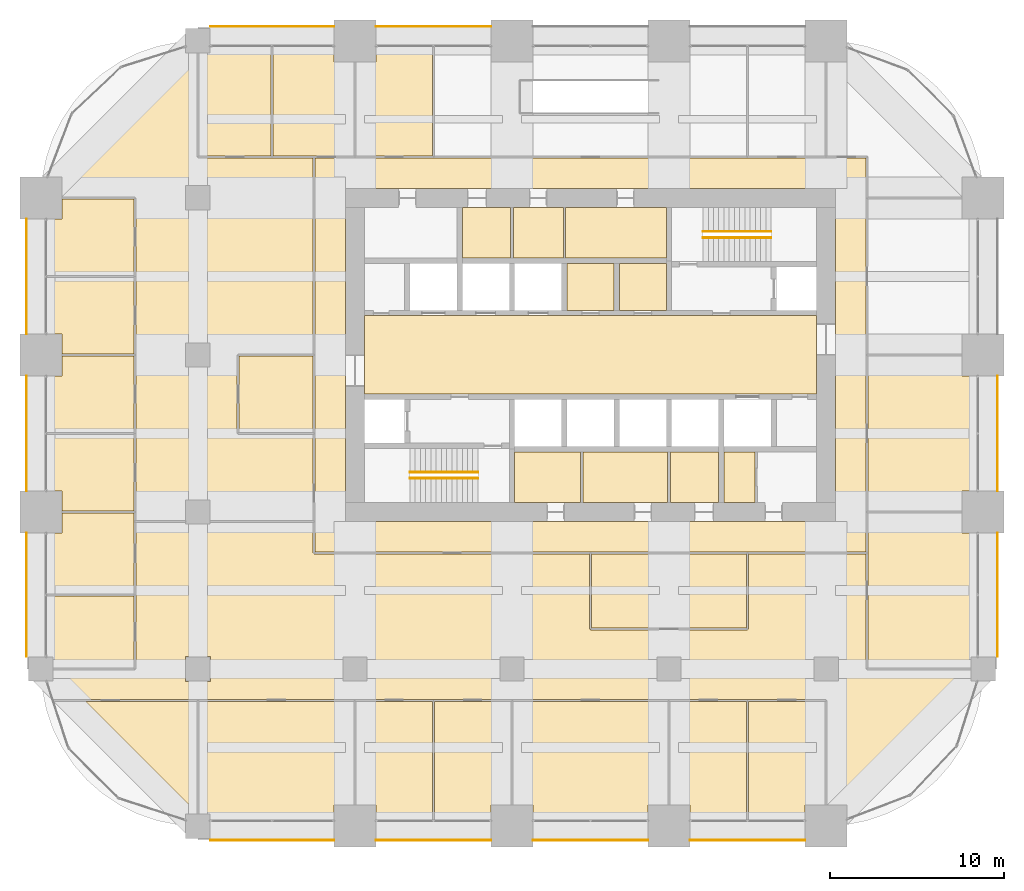
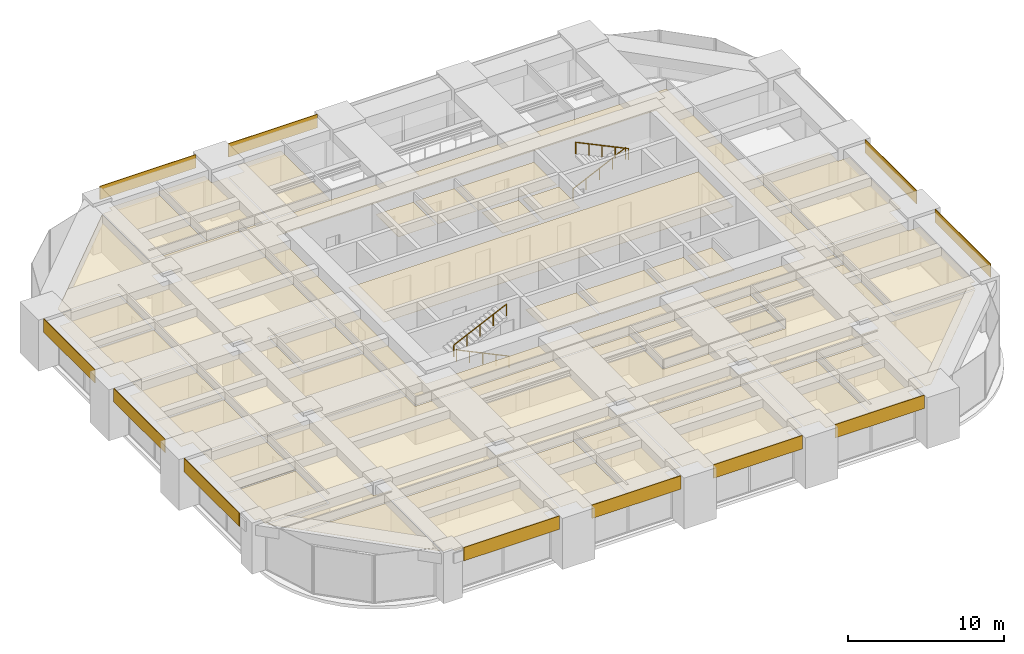
# One storey, part 34 of 35: 44 coverings, 4 railings.
"""IFC4 building model written with IfcOpenShell, lengths in metres."""

from ifc_helpers import new_model, si_unit, direction, frame, frame_2d, origin, origin_2d, place, context, subcontext, project, spatial, polyline, rectangle, circle, outline, extrude, material, layer, layer_set, type_object, element, save


model = new_model("IFC4")

# Units and contexts
model_context = context("Model", 3, precision=1e-05, world=origin(), true_north=direction((0.0, 1.0)))
body_context = subcontext(model_context, "Body", "Model", "MODEL_VIEW")
ifc_project = project(units=[si_unit("LENGTHUNIT", "METRE"), si_unit("AREAUNIT", "SQUARE_METRE"), si_unit("VOLUMEUNIT", "CUBIC_METRE"), si_unit("PLANEANGLEUNIT", "RADIAN"), si_unit("MASSUNIT", "GRAM", prefix="KILO")], contexts=[model_context])

# Site, building, storey
site_placement = place(None, origin())
site = spatial("IfcSite", under=ifc_project, at=site_placement, CompositionType="ELEMENT")
building_placement = place(site_placement, origin())
building = spatial("IfcBuilding", under=site, at=building_placement, Name="Zorevar Civic Tower", CompositionType="ELEMENT")
storey_placement = place(building_placement, frame((0.0, 0.0, 218.199951171875)))
storey = spatial("IfcBuildingStorey", under=building, at=storey_placement, Name="L53", CompositionType="ELEMENT", Elevation=218.199951171875)

# Railings
ifc_material_1 = material(Name="Black steel handrail", Category="steel")
railing_type = type_object("IfcRailingType", Name="Handrail HR1 900", PredefinedType="HANDRAIL", material=ifc_material_1)
railing_1_placement = place(storey_placement, frame((25.050048828125, 19.925048828125, 0.142822265625)))
element("IfcRailing", 1, at=railing_1_placement, inside=storey, type_object=railing_type, Name="Handrail HR1 ST1 L53", PredefinedType="HANDRAIL", context=body_context, shape_type="SweptSolid", body=[
    extrude(circle(Radius=0.02392578125, at=origin_2d()), frame((0.0, 0.0, 0.8759765625), z_axis=(-0.902863652845, 0.0, 0.429926998885), x_axis=(0.0, -1.0, 0.0)), (0.0, 0.0, 1.0), 4.31982421875),
    extrude(circle(Radius=0.02099609375, at=origin_2d()), origin(), (0.0, 0.0, 1.0), 0.851806640625),
    extrude(circle(Radius=0.02099609375, at=origin_2d()), frame((-0.97509765625, 0.0, 0.46435546875)), (0.0, 0.0, 1.0), 0.851806640625),
    extrude(circle(Radius=0.02099609375, at=origin_2d()), frame((-1.9501953125, 0.0, 0.9287109375)), (0.0, 0.0, 1.0), 0.851806640625),
    extrude(circle(Radius=0.02099609375, at=origin_2d()), frame((-2.925048828125, 0.0, 1.392822265625)), (0.0, 0.0, 1.0), 0.851806640625),
    extrude(circle(Radius=0.02099609375, at=origin_2d()), frame((-3.900146484375, 0.0, 1.857177734375)), (0.0, 0.0, 1.0), 0.851806640625),
])
for number, where, name in (
    (2, (21.14990234375, 20.27490234375, 2.142822265625), "Handrail HR1 ST1 L53"),
    (3, (37.949951171875, 34.074951171875, 0.142822265625), "Handrail HR1 ST2 L53"),
):
    element("IfcRailing", number, at=place(storey_placement, frame(where)), inside=storey, type_object=railing_type, Name=name, PredefinedType="HANDRAIL", context=body_context, shape_type="SweptSolid", body=[
        extrude(circle(Radius=0.02392578125, at=origin_2d()), frame((0.0, 0.0, 0.8759765625), z_axis=(0.902863652845, 0.0, 0.429926998885), x_axis=(0.0, 1.0, 0.0)), (0.0, 0.0, 1.0), 4.31982421875),
        extrude(circle(Radius=0.02099609375, at=origin_2d()), origin(), (0.0, 0.0, 1.0), 0.851806640625),
        extrude(circle(Radius=0.02099609375, at=origin_2d()), frame((0.97509765625, 0.0, 0.46435546875)), (0.0, 0.0, 1.0), 0.851806640625),
        extrude(circle(Radius=0.02099609375, at=origin_2d()), frame((1.9501953125, 0.0, 0.9287109375)), (0.0, 0.0, 1.0), 0.851806640625),
        extrude(circle(Radius=0.02099609375, at=origin_2d()), frame((2.925048828125, 0.0, 1.392822265625)), (0.0, 0.0, 1.0), 0.851806640625),
        extrude(circle(Radius=0.02099609375, at=origin_2d()), frame((3.900146484375, 0.0, 1.857177734375)), (0.0, 0.0, 1.0), 0.851806640625),
    ])
railing_2_placement = place(storey_placement, frame((41.85009765625, 33.72509765625, 2.142822265625)))
element("IfcRailing", 4, at=railing_2_placement, inside=storey, type_object=railing_type, Name="Handrail HR1 ST2 L53", PredefinedType="HANDRAIL", context=body_context, shape_type="SweptSolid", body=[
    extrude(circle(Radius=0.02392578125, at=origin_2d()), frame((0.0, 0.0, 0.8759765625), z_axis=(-0.902863652845, 0.0, 0.429926998885), x_axis=(0.0, -1.0, 0.0)), (0.0, 0.0, 1.0), 4.31982421875),
    extrude(circle(Radius=0.02099609375, at=origin_2d()), origin(), (0.0, 0.0, 1.0), 0.851806640625),
    extrude(circle(Radius=0.02099609375, at=origin_2d()), frame((-0.97509765625, 0.0, 0.46435546875)), (0.0, 0.0, 1.0), 0.851806640625),
    extrude(circle(Radius=0.02099609375, at=origin_2d()), frame((-1.9501953125, 0.0, 0.9287109375)), (0.0, 0.0, 1.0), 0.851806640625),
    extrude(circle(Radius=0.02099609375, at=origin_2d()), frame((-2.925048828125, 0.0, 1.392822265625)), (0.0, 0.0, 1.0), 0.851806640625),
    extrude(circle(Radius=0.02099609375, at=origin_2d()), frame((-3.900146484375, 0.0, 1.857177734375)), (0.0, 0.0, 1.0), 0.851806640625),
])

# Coverings
ifc_material_2 = material(Name="Moisture-resistant gypsum board")
ifc_layer_1 = layer(ifc_material_2, 0.012451171875)
ifc_layer_set_1 = layer_set([ifc_layer_1], Name="Moisture-resistant ceiling SC3")
covering_type_1 = type_object("IfcCoveringType", Name="Moisture-resistant ceiling SC3", PredefinedType="CEILING", material=ifc_layer_set_1)
covering_1_placement = place(storey_placement, frame((0.0, 0.0, 3.0)))
element("IfcCovering", 5, at=covering_1_placement, inside=storey, type_object=covering_type_1, Name="Ceiling L53-05", PredefinedType="CEILING", context=body_context, shape_type="SweptSolid", body=[
    extrude(outline(polyline([(30.925048828125, 18.550048828125), (30.925048828125, 21.449951171875), (27.14990234375, 21.449951171875), (27.14990234375, 18.550048828125), (30.925048828125, 18.550048828125)])), origin(), (0.0, 0.0, 1.0), 0.012451171875),
])
covering_2_placement = place(storey_placement, frame((0.0, 0.0, 3.0)))
element("IfcCovering", 6, at=covering_2_placement, inside=storey, type_object=covering_type_1, Name="Ceiling L53-06", PredefinedType="CEILING", context=body_context, shape_type="SweptSolid", body=[
    extrude(outline(polyline([(35.925048828125, 18.550048828125), (35.925048828125, 21.449951171875), (31.074951171875, 21.449951171875), (31.074951171875, 18.550048828125), (35.925048828125, 18.550048828125)])), origin(), (0.0, 0.0, 1.0), 0.012451171875),
])
covering_3_placement = place(storey_placement, frame((0.0, 0.0, 3.0)))
element("IfcCovering", 7, at=covering_3_placement, inside=storey, type_object=covering_type_1, Name="Ceiling L53-07", PredefinedType="CEILING", context=body_context, shape_type="SweptSolid", body=[
    extrude(outline(polyline([(38.85009765625, 18.550048828125), (38.85009765625, 21.449951171875), (36.074951171875, 21.449951171875), (36.074951171875, 18.550048828125), (38.85009765625, 18.550048828125)])), origin(), (0.0, 0.0, 1.0), 0.012451171875),
])
covering_4_placement = place(storey_placement, frame((0.0, 0.0, 3.0)))
element("IfcCovering", 8, at=covering_4_placement, inside=storey, type_object=covering_type_1, Name="Ceiling L53-10", PredefinedType="CEILING", context=body_context, shape_type="SweptSolid", body=[
    extrude(outline(polyline([(26.925048828125, 32.550048828125), (26.925048828125, 35.449951171875), (24.14990234375, 35.449951171875), (24.14990234375, 32.550048828125), (26.925048828125, 32.550048828125)])), origin(), (0.0, 0.0, 1.0), 0.012451171875),
])
ifc_material_3 = material(Name="Black anodised aluminium spandrel panel", Category="aluminium")
ifc_layer_2 = layer(ifc_material_3, 0.050048828125)
ifc_layer_set_2 = layer_set([ifc_layer_2], Name="Spandrel cladding SP1")
covering_type_2 = type_object("IfcCoveringType", Name="Spandrel cladding SP1", PredefinedType="CLADDING", material=ifc_layer_set_2)
covering_5_placement = place(storey_placement, frame((9.699951171875, -0.824951171875, 2.949951171875), z_axis=(0.0, 0.0, 1.0), x_axis=(1.0, 0.0, 0.0)))
element("IfcCovering", 9, at=covering_5_placement, inside=storey, type_object=covering_type_2, Name="Spandrel cladding L54", PredefinedType="CLADDING", context=body_context, shape_type="SweptSolid", body=[
    extrude(rectangle(XDim=7.10009765625, YDim=0.050048828125, at=frame_2d((3.550048828125, 0.0))), origin(), (0.0, 0.0, 1.0), 1.050048828125),
])
for number, where, z_axis, x_axis, name in (
    (10, (19.199951171875, -0.824951171875, 2.949951171875), (0.0, 0.0, 1.0), (1.0, 0.0, 0.0), "Spandrel cladding L54"),
    (11, (28.199951171875, -0.824951171875, 2.949951171875), (0.0, 0.0, 1.0), (1.0, 0.0, 0.0), "Spandrel cladding L54"),
    (12, (37.199951171875, -0.824951171875, 2.949951171875), (0.0, 0.0, 1.0), (1.0, 0.0, 0.0), "Spandrel cladding L54"),
):
    element("IfcCovering", number, at=place(storey_placement, frame(where, z_axis=z_axis, x_axis=x_axis)), inside=storey, type_object=covering_type_2, Name=name, PredefinedType="CLADDING", context=body_context, shape_type="SweptSolid", body=[
        extrude(rectangle(XDim=6.60009765625, YDim=0.050048828125, at=frame_2d((3.300048828125, 0.0))), origin(), (0.0, 0.0, 1.0), 1.050048828125),
    ])
covering_6_placement = place(storey_placement, frame((9.699951171875, 45.824951171875, 2.949951171875), z_axis=(0.0, 0.0, 1.0), x_axis=(1.0, 0.0, 0.0)))
element("IfcCovering", 13, at=covering_6_placement, inside=storey, type_object=covering_type_2, Name="Spandrel cladding L54", PredefinedType="CLADDING", context=body_context, shape_type="SweptSolid", body=[
    extrude(rectangle(XDim=7.10009765625, YDim=0.050048828125, at=frame_2d((3.550048828125, 0.0))), origin(), (0.0, 0.0, 1.0), 1.050048828125),
])
covering_7_placement = place(storey_placement, frame((19.199951171875, 45.824951171875, 2.949951171875), z_axis=(0.0, 0.0, 1.0), x_axis=(1.0, 0.0, 0.0)))
element("IfcCovering", 14, at=covering_7_placement, inside=storey, type_object=covering_type_2, Name="Spandrel cladding L54", PredefinedType="CLADDING", context=body_context, shape_type="SweptSolid", body=[
    extrude(rectangle(XDim=6.60009765625, YDim=0.050048828125, at=frame_2d((3.300048828125, 0.0))), origin(), (0.0, 0.0, 1.0), 1.050048828125),
])
covering_8_placement = place(storey_placement, frame((-0.824951171875, 9.699951171875, 2.949951171875), z_axis=(0.0, 0.0, 1.0), x_axis=(0.0, 1.0, 0.0)))
element("IfcCovering", 15, at=covering_8_placement, inside=storey, type_object=covering_type_2, Name="Spandrel cladding L54", PredefinedType="CLADDING", context=body_context, shape_type="SweptSolid", body=[
    extrude(rectangle(XDim=7.10009765625, YDim=0.050048828125, at=frame_2d((3.550048828125, 0.0))), origin(), (0.0, 0.0, 1.0), 1.050048828125),
])
for number, where, z_axis, x_axis, name in (
    (16, (-0.824951171875, 19.199951171875, 2.949951171875), (0.0, 0.0, 1.0), (0.0, 1.0, 0.0), "Spandrel cladding L54"),
    (17, (-0.824951171875, 28.199951171875, 2.949951171875), (0.0, 0.0, 1.0), (0.0, 1.0, 0.0), "Spandrel cladding L54"),
):
    element("IfcCovering", number, at=place(storey_placement, frame(where, z_axis=z_axis, x_axis=x_axis)), inside=storey, type_object=covering_type_2, Name=name, PredefinedType="CLADDING", context=body_context, shape_type="SweptSolid", body=[
        extrude(rectangle(XDim=6.60009765625, YDim=0.050048828125, at=frame_2d((3.300048828125, 0.0))), origin(), (0.0, 0.0, 1.0), 1.050048828125),
    ])
covering_9_placement = place(storey_placement, frame((54.824951171875, 9.699951171875, 2.949951171875), z_axis=(0.0, 0.0, 1.0), x_axis=(0.0, 1.0, 0.0)))
element("IfcCovering", 18, at=covering_9_placement, inside=storey, type_object=covering_type_2, Name="Spandrel cladding L54", PredefinedType="CLADDING", context=body_context, shape_type="SweptSolid", body=[
    extrude(rectangle(XDim=7.10009765625, YDim=0.050048828125, at=frame_2d((3.550048828125, 0.0))), origin(), (0.0, 0.0, 1.0), 1.050048828125),
])
covering_10_placement = place(storey_placement, frame((54.824951171875, 19.199951171875, 2.949951171875), z_axis=(0.0, 0.0, 1.0), x_axis=(0.0, 1.0, 0.0)))
element("IfcCovering", 19, at=covering_10_placement, inside=storey, type_object=covering_type_2, Name="Spandrel cladding L54", PredefinedType="CLADDING", context=body_context, shape_type="SweptSolid", body=[
    extrude(rectangle(XDim=6.60009765625, YDim=0.050048828125, at=frame_2d((3.300048828125, 0.0))), origin(), (0.0, 0.0, 1.0), 1.050048828125),
])
ifc_material_4 = material(Name="Mineral fibre tiles on a concealed grid")
ifc_layer_3 = layer(ifc_material_4, 0.02001953125)
ifc_layer_set_3 = layer_set([ifc_layer_3], Name="Suspended ceiling SC1")
covering_type_3 = type_object("IfcCoveringType", Name="Suspended ceiling SC1", PredefinedType="CEILING", material=ifc_layer_set_3)
covering_11_placement = place(storey_placement, frame((0.0, 0.0, 3.0)))
element("IfcCovering", 20, at=covering_11_placement, inside=storey, type_object=covering_type_3, Name="Ceiling L53-08", PredefinedType="CEILING", context=body_context, shape_type="SweptSolid", body=[
    extrude(outline(polyline([(35.85009765625, 32.550048828125), (35.85009765625, 35.449951171875), (30.06005859375, 35.449951171875), (30.06005859375, 32.550048828125), (35.85009765625, 32.550048828125)])), origin(), (0.0, 0.0, 1.0), 0.02001953125),
])
covering_12_placement = place(storey_placement, frame((0.0, 0.0, 3.0)))
element("IfcCovering", 21, at=covering_12_placement, inside=storey, type_object=covering_type_3, Name="Ceiling L53-09", PredefinedType="CEILING", context=body_context, shape_type="SweptSolid", body=[
    extrude(outline(polyline([(29.93994140625, 32.550048828125), (29.93994140625, 35.449951171875), (27.074951171875, 35.449951171875), (27.074951171875, 32.550048828125), (29.93994140625, 32.550048828125)])), origin(), (0.0, 0.0, 1.0), 0.02001953125),
])
covering_13_placement = place(storey_placement, frame((0.0, 0.0, 3.0)))
element("IfcCovering", 22, at=covering_13_placement, inside=storey, type_object=covering_type_3, Name="Ceiling L53-11", PredefinedType="CEILING", context=body_context, shape_type="SweptSolid", body=[
    extrude(outline(polyline([(40.93994140625, 18.550048828125), (40.93994140625, 21.449951171875), (39.14990234375, 21.449951171875), (39.14990234375, 18.550048828125), (40.93994140625, 18.550048828125)])), origin(), (0.0, 0.0, 1.0), 0.02001953125),
])
covering_14_placement = place(storey_placement, frame((0.0, 0.0, 3.0)))
element("IfcCovering", 23, at=covering_14_placement, inside=storey, type_object=covering_type_3, Name="Ceiling L53-16", PredefinedType="CEILING", context=body_context, shape_type="SweptSolid", body=[
    extrude(outline(polyline([(44.449951171875, 24.75), (44.449951171875, 29.25), (18.550048828125, 29.25), (18.550048828125, 24.75), (44.449951171875, 24.75)])), origin(), (0.0, 0.0, 1.0), 0.02001953125),
])
covering_15_placement = place(storey_placement, frame((0.0, 0.0, 3.0)))
element("IfcCovering", 24, at=covering_15_placement, inside=storey, type_object=covering_type_3, Name="Ceiling L53-17", PredefinedType="CEILING", context=body_context, shape_type="SweptSolid", body=[
    extrude(outline(polyline([(35.85009765625, 29.550048828125), (35.85009765625, 32.25), (33.14990234375, 32.25), (33.14990234375, 29.550048828125), (35.85009765625, 29.550048828125)])), origin(), (0.0, 0.0, 1.0), 0.02001953125),
])
covering_16_placement = place(storey_placement, frame((0.0, 0.0, 3.0)))
element("IfcCovering", 25, at=covering_16_placement, inside=storey, type_object=covering_type_3, Name="Ceiling L53-18", PredefinedType="CEILING", context=body_context, shape_type="SweptSolid", body=[
    extrude(outline(polyline([(32.85009765625, 29.550048828125), (32.85009765625, 32.25), (30.14990234375, 32.25), (30.14990234375, 29.550048828125), (32.85009765625, 29.550048828125)])), origin(), (0.0, 0.0, 1.0), 0.02001953125),
])
covering_17_placement = place(storey_placement, frame((0.0, 0.0, 3.0)))
element("IfcCovering", 26, at=covering_17_placement, inside=storey, type_object=covering_type_3, Name="Ceiling L53-19", PredefinedType="CEILING", context=body_context, shape_type="SweptSolid", body=[
    extrude(outline(polyline([(9.7099609375, 0.35009765625), (9.7099609375, 0.7099609375), (9.06005859375, 0.7099609375), (9.06005859375, 7.139892578125), (17.93994140625, 7.139892578125), (17.93994140625, 1.2099609375), (16.7900390625, 1.2099609375), (16.7900390625, 0.35009765625), (9.7099609375, 0.35009765625)])), origin(), (0.0, 0.0, 1.0), 0.02001953125),
])
covering_18_placement = place(storey_placement, frame((0.0, 0.0, 3.0)))
element("IfcCovering", 27, at=covering_18_placement, inside=storey, type_object=covering_type_3, Name="Ceiling L53-20", PredefinedType="CEILING", context=body_context, shape_type="SweptSolid", body=[
    extrude(outline(polyline([(22.43994140625, 7.139892578125), (22.43994140625, 0.35009765625), (19.2099609375, 0.35009765625), (19.2099609375, 1.2099609375), (18.06005859375, 1.2099609375), (18.06005859375, 7.139892578125), (22.43994140625, 7.139892578125)])), origin(), (0.0, 0.0, 1.0), 0.02001953125),
])
covering_19_placement = place(storey_placement, frame((0.0, 0.0, 3.0)))
element("IfcCovering", 28, at=covering_19_placement, inside=storey, type_object=covering_type_3, Name="Ceiling L53-21", PredefinedType="CEILING", context=body_context, shape_type="SweptSolid", body=[
    extrude(outline(polyline([(26.93994140625, 7.139892578125), (26.93994140625, 1.2099609375), (25.7900390625, 1.2099609375), (25.7900390625, 0.35009765625), (22.56005859375, 0.35009765625), (22.56005859375, 7.139892578125), (26.93994140625, 7.139892578125)])), origin(), (0.0, 0.0, 1.0), 0.02001953125),
])
covering_20_placement = place(storey_placement, frame((0.0, 0.0, 3.0)))
element("IfcCovering", 29, at=covering_20_placement, inside=storey, type_object=covering_type_3, Name="Ceiling L53-22", PredefinedType="CEILING", context=body_context, shape_type="SweptSolid", body=[
    extrude(outline(polyline([(28.2099609375, 0.35009765625), (28.2099609375, 1.2099609375), (27.06005859375, 1.2099609375), (27.06005859375, 7.139892578125), (35.93994140625, 7.139892578125), (35.93994140625, 1.2099609375), (34.7900390625, 1.2099609375), (34.7900390625, 0.35009765625), (28.2099609375, 0.35009765625)])), origin(), (0.0, 0.0, 1.0), 0.02001953125),
])
covering_21_placement = place(storey_placement, frame((0.0, 0.0, 3.0)))
element("IfcCovering", 30, at=covering_21_placement, inside=storey, type_object=covering_type_3, Name="Ceiling L53-23", PredefinedType="CEILING", context=body_context, shape_type="SweptSolid", body=[
    extrude(outline(polyline([(40.43994140625, 7.139892578125), (40.43994140625, 0.35009765625), (37.2099609375, 0.35009765625), (37.2099609375, 1.2099609375), (36.06005859375, 1.2099609375), (36.06005859375, 7.139892578125), (40.43994140625, 7.139892578125)])), origin(), (0.0, 0.0, 1.0), 0.02001953125),
])
covering_22_placement = place(storey_placement, frame((0.0, 0.0, 3.0)))
element("IfcCovering", 31, at=covering_22_placement, inside=storey, type_object=covering_type_3, Name="Ceiling L53-24", PredefinedType="CEILING", context=body_context, shape_type="SweptSolid", body=[
    extrude(outline(polyline([(44.93994140625, 7.139892578125), (44.93994140625, 1.2099609375), (43.7900390625, 1.2099609375), (43.7900390625, 0.35009765625), (40.56005859375, 0.35009765625), (40.56005859375, 7.139892578125), (44.93994140625, 7.139892578125)])), origin(), (0.0, 0.0, 1.0), 0.02001953125),
])
covering_23_placement = place(storey_placement, frame((0.0, 0.0, 3.0)))
element("IfcCovering", 32, at=covering_23_placement, inside=storey, type_object=covering_type_3, Name="Ceiling L53-25", PredefinedType="CEILING", context=body_context, shape_type="SweptSolid", body=[
    extrude(outline(polyline([(9.06005859375, 38.409912109375), (9.06005859375, 44.2900390625), (9.7099609375, 44.2900390625), (9.7099609375, 44.64990234375), (13.18994140625, 44.64990234375), (13.18994140625, 38.409912109375), (9.06005859375, 38.409912109375)])), origin(), (0.0, 0.0, 1.0), 0.02001953125),
])
covering_24_placement = place(storey_placement, frame((0.0, 0.0, 3.0)))
element("IfcCovering", 33, at=covering_24_placement, inside=storey, type_object=covering_type_3, Name="Ceiling L53-26", PredefinedType="CEILING", context=body_context, shape_type="SweptSolid", body=[
    extrude(outline(polyline([(13.31005859375, 38.409912109375), (13.31005859375, 44.64990234375), (16.7900390625, 44.64990234375), (16.7900390625, 43.7900390625), (17.93994140625, 43.7900390625), (17.93994140625, 38.409912109375), (13.31005859375, 38.409912109375)])), origin(), (0.0, 0.0, 1.0), 0.02001953125),
])
covering_25_placement = place(storey_placement, frame((0.0, 0.0, 3.0)))
element("IfcCovering", 34, at=covering_25_placement, inside=storey, type_object=covering_type_3, Name="Ceiling L53-27", PredefinedType="CEILING", context=body_context, shape_type="SweptSolid", body=[
    extrude(outline(polyline([(18.06005859375, 38.409912109375), (18.06005859375, 43.7900390625), (19.2099609375, 43.7900390625), (19.2099609375, 44.64990234375), (22.43994140625, 44.64990234375), (22.43994140625, 38.409912109375), (18.06005859375, 38.409912109375)])), origin(), (0.0, 0.0, 1.0), 0.02001953125),
])
covering_26_placement = place(storey_placement, frame((0.0, 0.0, 3.0)))
element("IfcCovering", 35, at=covering_26_placement, inside=storey, type_object=covering_type_3, Name="Ceiling L53-29", PredefinedType="CEILING", context=body_context, shape_type="SweptSolid", body=[
    extrude(outline(polyline([(53.64990234375, 9.7099609375), (53.2900390625, 9.7099609375), (53.2900390625, 9.06005859375), (47.409912109375, 9.06005859375), (47.409912109375, 17.93994140625), (52.7900390625, 17.93994140625), (52.7900390625, 16.7900390625), (53.64990234375, 16.7900390625), (53.64990234375, 9.7099609375)])), origin(), (0.0, 0.0, 1.0), 0.02001953125),
])
covering_27_placement = place(storey_placement, frame((0.0, 0.0, 3.0)))
element("IfcCovering", 36, at=covering_27_placement, inside=storey, type_object=covering_type_3, Name="Ceiling L53-30", PredefinedType="CEILING", context=body_context, shape_type="SweptSolid", body=[
    extrude(outline(polyline([(53.64990234375, 19.2099609375), (52.7900390625, 19.2099609375), (52.7900390625, 18.06005859375), (47.409912109375, 18.06005859375), (47.409912109375, 26.93994140625), (52.7900390625, 26.93994140625), (52.7900390625, 25.7900390625), (53.64990234375, 25.7900390625), (53.64990234375, 19.2099609375)])), origin(), (0.0, 0.0, 1.0), 0.02001953125),
])
covering_28_placement = place(storey_placement, frame((0.0, 0.0, 3.0)))
element("IfcCovering", 37, at=covering_28_placement, inside=storey, type_object=covering_type_3, Name="Ceiling L53-32", PredefinedType="CEILING", context=body_context, shape_type="SweptSolid", body=[
    extrude(outline(polyline([(5.340087890625, 9.06005859375), (0.7099609375, 9.06005859375), (0.7099609375, 9.7099609375), (0.35009765625, 9.7099609375), (0.35009765625, 13.18994140625), (5.340087890625, 13.18994140625), (5.340087890625, 9.06005859375)])), origin(), (0.0, 0.0, 1.0), 0.02001953125),
])
covering_29_placement = place(storey_placement, frame((0.0, 0.0, 3.0)))
element("IfcCovering", 38, at=covering_29_placement, inside=storey, type_object=covering_type_3, Name="Ceiling L53-33", PredefinedType="CEILING", context=body_context, shape_type="SweptSolid", body=[
    extrude(outline(polyline([(5.340087890625, 13.31005859375), (0.35009765625, 13.31005859375), (0.35009765625, 16.7900390625), (1.2099609375, 16.7900390625), (1.2099609375, 17.93994140625), (5.340087890625, 17.93994140625), (5.340087890625, 13.31005859375)])), origin(), (0.0, 0.0, 1.0), 0.02001953125),
])
covering_30_placement = place(storey_placement, frame((0.0, 0.0, 3.0)))
element("IfcCovering", 39, at=covering_30_placement, inside=storey, type_object=covering_type_3, Name="Ceiling L53-34", PredefinedType="CEILING", context=body_context, shape_type="SweptSolid", body=[
    extrude(outline(polyline([(5.340087890625, 18.06005859375), (1.2099609375, 18.06005859375), (1.2099609375, 19.2099609375), (0.35009765625, 19.2099609375), (0.35009765625, 22.43994140625), (5.340087890625, 22.43994140625), (5.340087890625, 18.06005859375)])), origin(), (0.0, 0.0, 1.0), 0.02001953125),
])
covering_31_placement = place(storey_placement, frame((0.0, 0.0, 3.0)))
element("IfcCovering", 40, at=covering_31_placement, inside=storey, type_object=covering_type_3, Name="Ceiling L53-35", PredefinedType="CEILING", context=body_context, shape_type="SweptSolid", body=[
    extrude(outline(polyline([(5.340087890625, 22.56005859375), (0.35009765625, 22.56005859375), (0.35009765625, 25.7900390625), (1.2099609375, 25.7900390625), (1.2099609375, 26.93994140625), (5.340087890625, 26.93994140625), (5.340087890625, 22.56005859375)])), origin(), (0.0, 0.0, 1.0), 0.02001953125),
])
covering_32_placement = place(storey_placement, frame((0.0, 0.0, 3.0)))
element("IfcCovering", 41, at=covering_32_placement, inside=storey, type_object=covering_type_3, Name="Ceiling L53-36", PredefinedType="CEILING", context=body_context, shape_type="SweptSolid", body=[
    extrude(outline(polyline([(5.340087890625, 27.06005859375), (1.2099609375, 27.06005859375), (1.2099609375, 28.2099609375), (0.35009765625, 28.2099609375), (0.35009765625, 31.43994140625), (5.340087890625, 31.43994140625), (5.340087890625, 27.06005859375)])), origin(), (0.0, 0.0, 1.0), 0.02001953125),
])
covering_33_placement = place(storey_placement, frame((0.0, 0.0, 3.0)))
element("IfcCovering", 42, at=covering_33_placement, inside=storey, type_object=covering_type_3, Name="Ceiling L53-37", PredefinedType="CEILING", context=body_context, shape_type="SweptSolid", body=[
    extrude(outline(polyline([(5.340087890625, 31.56005859375), (0.35009765625, 31.56005859375), (0.35009765625, 34.7900390625), (1.2099609375, 34.7900390625), (1.2099609375, 35.93994140625), (5.340087890625, 35.93994140625), (5.340087890625, 31.56005859375)])), origin(), (0.0, 0.0, 1.0), 0.02001953125),
])
covering_34_placement = place(storey_placement, frame((0.0, 0.0, 3.0)))
element("IfcCovering", 43, at=covering_34_placement, inside=storey, type_object=covering_type_3, Name="Ceiling L53-38", PredefinedType="CEILING", context=body_context, shape_type="SweptSolid", body=[
    extrude(outline(polyline([(31.56005859375, 15.590087890625), (40.43994140625, 15.590087890625), (40.43994140625, 11.35009765625), (31.56005859375, 11.35009765625), (31.56005859375, 15.590087890625)])), origin(), (0.0, 0.0, 1.0), 0.02001953125),
])
covering_35_placement = place(storey_placement, frame((0.0, 0.0, 3.0)))
element("IfcCovering", 44, at=covering_35_placement, inside=storey, type_object=covering_type_3, Name="Ceiling L53-39", PredefinedType="CEILING", context=body_context, shape_type="SweptSolid", body=[
    extrude(outline(polyline([(11.360107421875, 26.93994140625), (15.590087890625, 26.93994140625), (15.590087890625, 22.56005859375), (11.360107421875, 22.56005859375), (11.360107421875, 26.93994140625)])), origin(), (0.0, 0.0, 1.0), 0.02001953125),
])
covering_36_placement = place(storey_placement, frame((0.0, 0.0, 3.0)))
element("IfcCovering", 45, at=covering_36_placement, inside=storey, type_object=covering_type_3, Name="Ceiling L53-40", PredefinedType="CEILING", context=body_context, shape_type="SweptSolid", body=[
    extrude(outline(polyline([(8.93994140625, 7.14990234375), (8.93994140625, 0.76708984375), (2.55712890625, 7.14990234375), (8.93994140625, 7.14990234375)])), origin(), (0.0, 0.0, 1.0), 0.02001953125),
])
covering_37_placement = place(storey_placement, frame((0.0, 0.0, 3.0)))
element("IfcCovering", 46, at=covering_37_placement, inside=storey, type_object=covering_type_3, Name="Ceiling L53-41", PredefinedType="CEILING", context=body_context, shape_type="SweptSolid", body=[
    extrude(outline(polyline([(40.5, 38.300048828125), (40.5, 38.2900390625), (45.0, 38.2900390625), (45.0, 38.300048828125), (47.300048828125, 38.300048828125), (47.300048828125, 36.0), (47.2900390625, 36.0), (47.2900390625, 15.699951171875), (40.5, 15.699951171875), (40.5, 15.7099609375), (31.5, 15.7099609375), (31.5, 15.699951171875), (15.699951171875, 15.699951171875), (15.699951171875, 22.5), (15.7099609375, 22.5), (15.7099609375, 27.0), (15.699951171875, 27.0), (15.699951171875, 38.2900390625), (22.5, 38.2900390625), (22.5, 38.300048828125), (40.5, 38.300048828125)]), holes=[polyline([(45.550048828125, 36.550048828125), (17.449951171875, 36.550048828125), (17.449951171875, 17.449951171875), (45.550048828125, 17.449951171875), (45.550048828125, 36.550048828125)])]), origin(), (0.0, 0.0, 1.0), 0.02001953125),
])
covering_38_placement = place(storey_placement, frame((0.0, 0.0, 3.0)))
element("IfcCovering", 47, at=covering_38_placement, inside=storey, type_object=covering_type_3, Name="Ceiling L53-44", PredefinedType="CEILING", context=body_context, shape_type="SweptSolid", body=[
    extrude(outline(polyline([(40.56005859375, 15.60009765625), (47.2900390625, 15.60009765625), (47.2900390625, 9.0), (47.35009765625, 9.0), (47.35009765625, 8.93994140625), (53.23291015625, 8.93994140625), (45.5029296875, 1.2099609375), (45.06005859375, 1.2099609375), (45.06005859375, 7.199951171875), (45.0, 7.199951171875), (45.0, 7.260009765625), (9.0, 7.260009765625), (9.0, 7.25), (2.45703125, 7.25), (0.76708984375, 8.93994140625), (5.39990234375, 8.93994140625), (5.39990234375, 9.0), (5.4599609375, 9.0), (5.4599609375, 17.39990234375), (8.2900390625, 17.39990234375), (8.2900390625, 17.2900390625), (9.7099609375, 17.2900390625), (9.7099609375, 17.39990234375), (15.60009765625, 17.39990234375), (15.60009765625, 15.64990234375), (15.64990234375, 15.64990234375), (15.64990234375, 15.60009765625), (31.43994140625, 15.60009765625), (31.43994140625, 11.300048828125), (31.5, 11.300048828125), (31.5, 11.25), (40.5, 11.25), (40.5, 11.300048828125), (40.56005859375, 11.300048828125), (40.56005859375, 15.60009765625)]), holes=[polyline([(8.2900390625, 9.7099609375), (8.2900390625, 8.2900390625), (9.7099609375, 8.2900390625), (9.7099609375, 9.7099609375), (8.2900390625, 9.7099609375)]), polyline([(18.7099609375, 8.2900390625), (18.7099609375, 9.7099609375), (17.2900390625, 9.7099609375), (17.2900390625, 8.2900390625), (18.7099609375, 8.2900390625)]), polyline([(26.2900390625, 8.2900390625), (27.7099609375, 8.2900390625), (27.7099609375, 9.7099609375), (26.2900390625, 9.7099609375), (26.2900390625, 8.2900390625)]), polyline([(35.2900390625, 9.7099609375), (35.2900390625, 8.2900390625), (36.7099609375, 8.2900390625), (36.7099609375, 9.7099609375), (35.2900390625, 9.7099609375)]), polyline([(45.7099609375, 8.2900390625), (45.7099609375, 9.7099609375), (44.2900390625, 9.7099609375), (44.2900390625, 8.2900390625), (45.7099609375, 8.2900390625)])]), origin(), (0.0, 0.0, 1.0), 0.02001953125),
])
covering_39_placement = place(storey_placement, frame((0.0, 0.0, 3.0)))
element("IfcCovering", 48, at=covering_39_placement, inside=storey, type_object=covering_type_3, Name="Ceiling L53-45", PredefinedType="CEILING", context=body_context, shape_type="SweptSolid", body=[
    extrude(outline(polyline([(8.93994140625, 38.35107421875), (9.0, 38.35009765625), (9.000244140625, 38.290283203125), (15.60009765625, 38.2900390625), (15.59912109375, 27.06103515625), (11.300048828125, 27.06103515625), (11.299072265625, 27.0009765625), (11.239013671875, 27.0), (11.2392578125, 22.499267578125), (11.299072265625, 22.4990234375), (11.300048828125, 22.43896484375), (15.59912109375, 22.43896484375), (15.59912109375, 17.5009765625), (9.7099609375, 17.5009765625), (9.7099609375, 18.7099609375), (8.2900390625, 18.7099609375), (8.2900390625, 17.5009765625), (5.4609375, 17.5009765625), (5.4609375, 36.000244140625), (5.40087890625, 36.0009765625), (5.39990234375, 36.06103515625), (1.2099609375, 36.06103515625), (1.2099609375, 36.5029296875), (8.93994140625, 44.23291015625), (8.93994140625, 38.35107421875)]), holes=[polyline([(9.7099609375, 26.2900390625), (9.7099609375, 27.7099609375), (8.2900390625, 27.7099609375), (8.2900390625, 26.2900390625), (9.7099609375, 26.2900390625)]), polyline([(8.2900390625, 35.2900390625), (9.7099609375, 35.2900390625), (9.7099609375, 36.7099609375), (8.2900390625, 36.7099609375), (8.2900390625, 35.2900390625)])]), origin(), (0.0, 0.0, 1.0), 0.02001953125),
])

save(model, "model.ifc")
